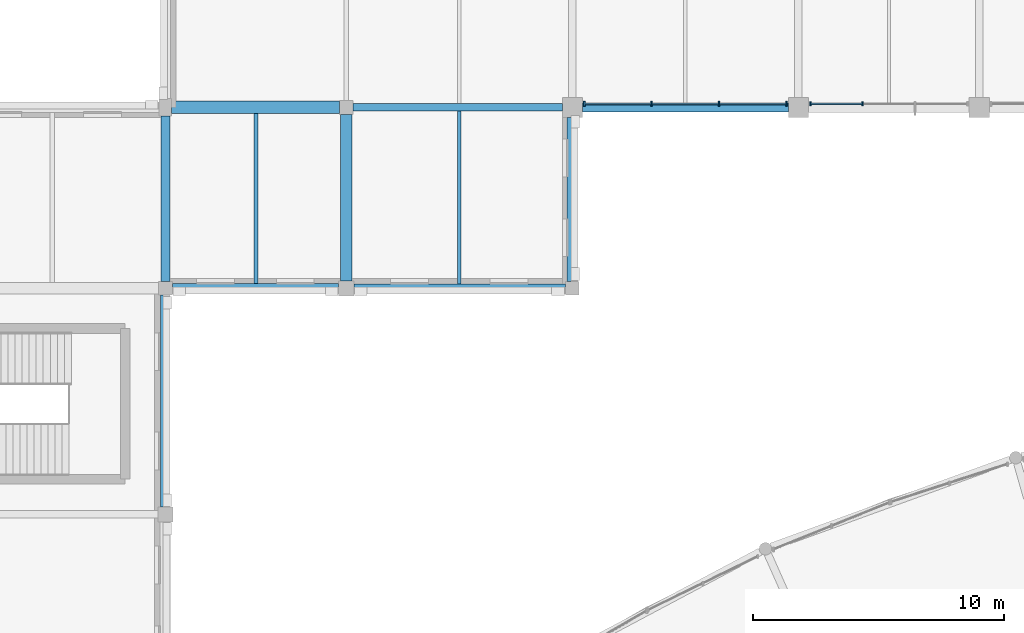
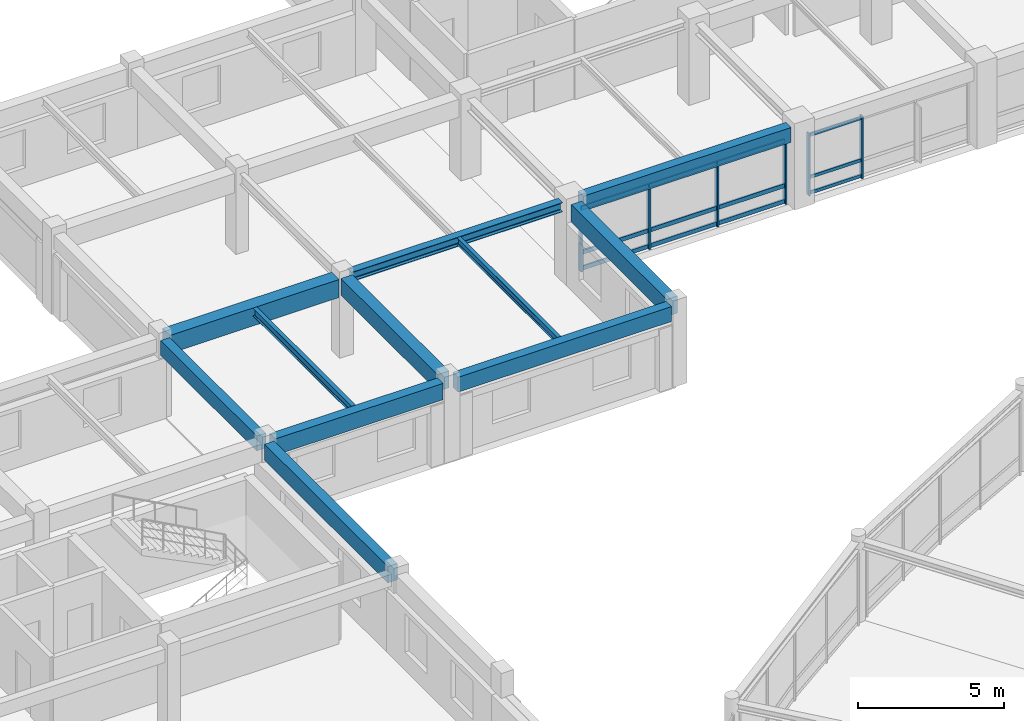
# One storey, part 30 of 74: 18 members, 11 beams, 2 elements without a shape of their own.
"""IFC4 building model written with IfcOpenShell, lengths in metres."""

from ifc_helpers import new_model, si_unit, direction, frame, origin, origin_2d, place, context, subcontext, project, spatial, rectangle, i_section, extrude, material, material_profile, profile_set, type_object, element, aggregate, save


model = new_model("IFC4")

# Units and contexts
model_context = context("Model", 3, precision=1e-05, world=origin(), true_north=direction((0.0, 1.0)))
body_context = subcontext(model_context, "Body", "Model", "MODEL_VIEW")
ifc_project = project(units=[si_unit("LENGTHUNIT", "METRE"), si_unit("AREAUNIT", "SQUARE_METRE"), si_unit("VOLUMEUNIT", "CUBIC_METRE"), si_unit("PLANEANGLEUNIT", "RADIAN"), si_unit("MASSUNIT", "GRAM", prefix="KILO")], contexts=[model_context])

# Site, building, storey
site_placement = place(None, origin())
site = spatial("IfcSite", under=ifc_project, at=site_placement, CompositionType="ELEMENT")
building_placement = place(site_placement, origin())
building = spatial("IfcBuilding", under=site, at=building_placement, Name="Clarverna Civic Hall", CompositionType="ELEMENT")
storey_placement = place(building_placement, frame((0.0, 0.0, 9.60009765625)))
storey = spatial("IfcBuildingStorey", under=building, at=storey_placement, Name="L02", CompositionType="ELEMENT", Elevation=9.60009765625)

# Beams
ifc_material_1 = material(Name="Concrete C35/45", Category="concrete")
ifc_material_profile_1 = material_profile(ifc_material_1, rectangle(XDim=0.5, YDim=0.75, at=origin_2d()), Name="RC 500x750")
ifc_profile_set_1 = profile_set([ifc_material_profile_1], Name="Concrete C35/45")
beam_type_1 = type_object("IfcBeamType", Name="B-RC15", PredefinedType="BEAM", material=ifc_profile_set_1)
beam_1_placement = place(storey_placement, frame((97.449951171875, 95.0, 2.90478515625), z_axis=(1.0, 0.0, 0.0), x_axis=(0.0, 1.0, 0.0)))
element("IfcBeam", 1, at=beam_1_placement, inside=storey, type_object=beam_type_1, Name="B-RC15-036", PredefinedType="BEAM", context=body_context, shape_type="SweptSolid", body=[
    extrude(rectangle(XDim=0.5, YDim=0.75, at=origin_2d()), origin(), (0.0, 0.0, 1.0), 6.675048828125),
])
ifc_material_profile_2 = material_profile(ifc_material_1, rectangle(XDim=0.449951171875, YDim=0.699951171875, at=origin_2d()), Name="RC 450x700")
ifc_profile_set_2 = profile_set([ifc_material_profile_2], Name="Concrete C35/45")
beam_type_2 = type_object("IfcBeamType", Name="B-RC4", PredefinedType="BEAM", material=ifc_profile_set_2)
beam_2_placement = place(storey_placement, frame((104.39990234375, 88.10009765625, 2.969970703125), z_axis=(0.0, 1.0, 0.0), x_axis=(-1.0, 0.0, 0.0)))
element("IfcBeam", 2, at=beam_2_placement, inside=storey, type_object=beam_type_2, Name="B-RC4-026", PredefinedType="BEAM", context=body_context, shape_type="SweptSolid", body=[
    extrude(rectangle(XDim=0.449951171875, YDim=0.699951171875, at=origin_2d()), origin(), (0.0, 0.0, 1.0), 6.625),
])
ifc_material_profile_3 = material_profile(ifc_material_1, rectangle(XDim=0.419921875, YDim=0.719970703125, at=origin_2d()), Name="RC 420x720")
ifc_profile_set_3 = profile_set([ifc_material_profile_3], Name="Concrete C35/45")
beam_type_3 = type_object("IfcBeamType", Name="B-SP1", PredefinedType="SPANDREL", material=ifc_profile_set_3)
beam_3_placement = place(storey_placement, frame((113.39990234375, 88.074951171875, 2.9599609375), z_axis=(0.0, 1.0, 0.0), x_axis=(-1.0, 0.0, 0.0)))
element("IfcBeam", 3, at=beam_3_placement, inside=storey, type_object=beam_type_3, Name="B-SP1-104", PredefinedType="SPANDREL", context=body_context, shape_type="SweptSolid", body=[
    extrude(rectangle(XDim=0.419921875, YDim=0.719970703125, at=origin_2d()), origin(), (0.0, 0.0, 1.0), 6.525146484375),
])
ifc_material_profile_4 = material_profile(ifc_material_1, rectangle(XDim=0.3798828125, YDim=0.679931640625, at=origin_2d()), Name="RC 380x680")
ifc_profile_set_4 = profile_set([ifc_material_profile_4], Name="Concrete C35/45")
beam_type_4 = type_object("IfcBeamType", Name="B-SP2", PredefinedType="SPANDREL", material=ifc_profile_set_4)
beam_4_placement = place(storey_placement, frame((97.47509765625, 87.800048828125, 2.93994140625), z_axis=(1.0, 0.0, 0.0), x_axis=(0.0, 1.0, 0.0)))
element("IfcBeam", 4, at=beam_4_placement, inside=storey, type_object=beam_type_4, Name="B-SP2-088", PredefinedType="SPANDREL", context=body_context, shape_type="SweptSolid", body=[
    extrude(rectangle(XDim=0.3798828125, YDim=0.679931640625, at=origin_2d()), origin(), (0.0, 0.0, 1.0), 6.625),
])
beam_5_placement = place(storey_placement, frame((97.199951171875, 79.10009765625, 2.93994140625), z_axis=(0.0, 1.0, 0.0), x_axis=(-1.0, 0.0, 0.0)))
element("IfcBeam", 5, at=beam_5_placement, inside=storey, type_object=beam_type_4, Name="B-SP2-106", PredefinedType="SPANDREL", context=body_context, shape_type="SweptSolid", body=[
    extrude(rectangle(XDim=0.3798828125, YDim=0.679931640625, at=origin_2d()), origin(), (0.0, 0.0, 1.0), 8.4248046875),
])
ifc_material_profile_5 = material_profile(ifc_material_1, rectangle(XDim=0.360107421875, YDim=0.6201171875, at=origin_2d()), Name="RC 360x620")
ifc_profile_set_5 = profile_set([ifc_material_profile_5], Name="Concrete C35/45")
beam_type_5 = type_object("IfcBeamType", Name="B-SP3", PredefinedType="SPANDREL", material=ifc_profile_set_5)
beam_6_placement = place(storey_placement, frame((104.699951171875, 87.800048828125, 3.010009765625), z_axis=(1.0, 0.0, 0.0), x_axis=(0.0, 1.0, 0.0)))
element("IfcBeam", 6, at=beam_6_placement, inside=storey, type_object=beam_type_5, Name="B-SP3-088", PredefinedType="SPANDREL", context=body_context, shape_type="SweptSolid", body=[
    extrude(rectangle(XDim=0.360107421875, YDim=0.6201171875, at=origin_2d()), origin(), (0.0, 0.0, 1.0), 8.425048828125),
])
beam_7_placement = place(storey_placement, frame((113.800048828125, 95.0, 3.010009765625), z_axis=(1.0, 0.0, 0.0), x_axis=(0.0, 1.0, 0.0)))
element("IfcBeam", 7, at=beam_7_placement, inside=storey, type_object=beam_type_5, Name="B-SP3-090", PredefinedType="SPANDREL", context=body_context, shape_type="SweptSolid", body=[
    extrude(rectangle(XDim=0.360107421875, YDim=0.6201171875, at=origin_2d()), origin(), (0.0, 0.0, 1.0), 8.199951171875),
])
beam_8_placement = place(storey_placement, frame((97.199951171875, 88.074951171875, 2.969970703125), z_axis=(0.0, 1.0, 0.0), x_axis=(-1.0, 0.0, 0.0)))
element("IfcBeam", 8, at=beam_8_placement, inside=storey, type_object=beam_type_5, Name="B-SP3-104", PredefinedType="SPANDREL", context=body_context, shape_type="SweptSolid", body=[
    extrude(rectangle(XDim=0.360107421875, YDim=0.6201171875, at=origin_2d()), origin(), (0.0, 0.0, 1.0), 6.574951171875),
])
ifc_material_2 = material(Name="Steel S355", Category="steel")
ifc_material_profile_6 = material_profile(ifc_material_2, i_section(OverallWidth=0.300048828125, OverallDepth=0.389892578125, WebThickness=0.010986328125, FlangeThickness=0.01904296875, FilletRadius=0.027099609375, at=origin_2d()), Name="HEA 400")
ifc_profile_set_6 = profile_set([ifc_material_profile_6], Name="Steel S355")
beam_type_6 = type_object("IfcBeamType", Name="B-ST6", PredefinedType="BEAM", material=ifc_profile_set_6)
beam_9_placement = place(storey_placement, frame((104.675048828125, 95.0, 3.125), z_axis=(1.0, 0.0, 0.0), x_axis=(0.0, 1.0, 0.0)))
element("IfcBeam", 9, at=beam_9_placement, inside=storey, type_object=beam_type_6, Name="B-ST6-009", PredefinedType="BEAM", context=body_context, shape_type="SweptSolid", body=[
    extrude(i_section(OverallWidth=0.300048828125, OverallDepth=0.389892578125, WebThickness=0.010986328125, FlangeThickness=0.01904296875, FilletRadius=0.027099609375, at=origin_2d()), origin(), (0.0, 0.0, 1.0), 8.324951171875),
])

# Curtain wall, members
ifc_material_3 = material(Name="Anodised Bronze Architectural Aluminium", Category="aluminium")
curtain_wall_type = type_object("IfcCurtainWallType", Name="CW-01", PredefinedType="USERDEFINED", material=ifc_material_3)
curtain_wall_1_placement = place(storey_placement, origin())
curtain_wall_1 = element("IfcCurtainWall", 10, at=curtain_wall_1_placement, inside=storey, type_object=curtain_wall_type, Name="CW-01-052", ObjectType="UNITISED CURTAIN WALL", PredefinedType="USERDEFINED")
ifc_material_profile_7 = material_profile(ifc_material_3, rectangle(XDim=0.06005859375, YDim=0.159912109375, at=origin_2d()), Name="BRONZE 60x160")
ifc_profile_set_7 = profile_set([ifc_material_profile_7], Name="Anodised Bronze Architectural Aluminium")
member_type_1 = type_object("IfcMemberType", Name="CWM-02", PredefinedType="MULLION", material=ifc_profile_set_7)
member_1_placement = place(storey_placement, frame((124.957763671875, 95.139892578125, 0.0), z_axis=(0.0, 0.0, 1.0), x_axis=(1.0, 0.0, 0.0)))
member_1 = element("IfcMember", 11, at=member_1_placement, type_object=member_type_1, Name="CWM-02-119", PredefinedType="MULLION", context=body_context, shape_type="SweptSolid", body=[
    extrude(rectangle(XDim=0.06005859375, YDim=0.159912109375, at=origin_2d()), origin(), (0.0, 0.0, 1.0), 2.599853515625),
])
member_2_placement = place(storey_placement, frame((122.873046875, 95.139892578125, 0.0), z_axis=(0.0, 0.0, 1.0), x_axis=(1.0, 0.0, 0.0)))
member_2 = element("IfcMember", 12, at=member_2_placement, type_object=member_type_1, Name="CWM-02-120", PredefinedType="MULLION", context=body_context, shape_type="SweptSolid", body=[
    extrude(rectangle(XDim=0.06005859375, YDim=0.159912109375, at=origin_2d()), origin(), (0.0, 0.0, 1.0), 2.599853515625),
])

curtain_wall_2_placement = place(storey_placement, origin())
curtain_wall_2 = element("IfcCurtainWall", 13, at=curtain_wall_2_placement, inside=storey, type_object=curtain_wall_type, Name="CW-01-053", ObjectType="UNITISED CURTAIN WALL", PredefinedType="USERDEFINED")
ifc_material_profile_8 = material_profile(ifc_material_3, rectangle(XDim=0.06494140625, YDim=0.199951171875, at=origin_2d()), Name="BRONZE 65x200")
ifc_profile_set_8 = profile_set([ifc_material_profile_8], Name="Anodised Bronze Architectural Aluminium")
member_type_2 = type_object("IfcMemberType", Name="CWM-03", PredefinedType="MULLION", material=ifc_profile_set_8)
member_3_placement = place(storey_placement, frame((121.927001953125, 95.139892578125, 0.0), z_axis=(0.0, 0.0, 1.0), x_axis=(1.0, 0.0, 0.0)))
member_3 = element("IfcMember", 14, at=member_3_placement, type_object=member_type_2, Name="CWM-03-093", PredefinedType="MULLION", context=body_context, shape_type="SweptSolid", body=[
    extrude(rectangle(XDim=0.06494140625, YDim=0.199951171875, at=origin_2d()), origin(), (0.0, 0.0, 1.0), 2.699951171875),
])
member_4_placement = place(storey_placement, frame((119.2421875, 95.139892578125, 0.0), z_axis=(0.0, 0.0, 1.0), x_axis=(1.0, 0.0, 0.0)))
member_4 = element("IfcMember", 15, at=member_4_placement, type_object=member_type_2, Name="CWM-03-094", PredefinedType="MULLION", context=body_context, shape_type="SweptSolid", body=[
    extrude(rectangle(XDim=0.06494140625, YDim=0.199951171875, at=origin_2d()), origin(), (0.0, 0.0, 1.0), 2.699951171875),
])
member_5_placement = place(storey_placement, frame((116.5576171875, 95.139892578125, 0.0), z_axis=(0.0, 0.0, 1.0), x_axis=(1.0, 0.0, 0.0)))
member_5 = element("IfcMember", 16, at=member_5_placement, type_object=member_type_2, Name="CWM-03-095", PredefinedType="MULLION", context=body_context, shape_type="SweptSolid", body=[
    extrude(rectangle(XDim=0.06494140625, YDim=0.199951171875, at=origin_2d()), origin(), (0.0, 0.0, 1.0), 2.699951171875),
])
member_6_placement = place(storey_placement, frame((113.873046875, 95.139892578125, 0.0), z_axis=(0.0, 0.0, 1.0), x_axis=(1.0, 0.0, 0.0)))
member_6 = element("IfcMember", 17, at=member_6_placement, type_object=member_type_2, Name="CWM-03-096", PredefinedType="MULLION", context=body_context, shape_type="SweptSolid", body=[
    extrude(rectangle(XDim=0.06494140625, YDim=0.199951171875, at=origin_2d()), origin(), (0.0, 0.0, 1.0), 2.699951171875),
])

# Member
ifc_material_profile_9 = material_profile(ifc_material_3, rectangle(XDim=0.06005859375, YDim=0.1298828125, at=origin_2d()), Name="BRONZE 60x130")
ifc_profile_set_9 = profile_set([ifc_material_profile_9], Name="Anodised Bronze Architectural Aluminium")
member_type_3 = type_object("IfcMemberType", Name="CWT-02", PredefinedType="USERDEFINED", material=ifc_profile_set_9)
member_7_placement = place(storey_placement, frame((124.942626953125, 95.139892578125, 0.094970703125), z_axis=(-1.0, 0.0, 0.0), x_axis=(0.0, -1.0, 0.0)))
member_7 = element("IfcMember", 18, at=member_7_placement, type_object=member_type_3, Name="CWT-02-250", ObjectType="TRANSOM", PredefinedType="USERDEFINED", context=body_context, shape_type="SweptSolid", body=[
    extrude(rectangle(XDim=0.06005859375, YDim=0.1298828125, at=origin_2d()), origin(), (0.0, 0.0, 1.0), 2.0546875),
])

member_8_placement = place(storey_placement, frame((124.942626953125, 95.139892578125, 0.75), z_axis=(-1.0, 0.0, 0.0), x_axis=(0.0, -1.0, 0.0)))
member_8 = element("IfcMember", 19, at=member_8_placement, type_object=member_type_3, Name="CWT-02-251", ObjectType="TRANSOM", PredefinedType="USERDEFINED", context=body_context, shape_type="SweptSolid", body=[
    extrude(rectangle(XDim=0.06005859375, YDim=0.1298828125, at=origin_2d()), origin(), (0.0, 0.0, 1.0), 2.0546875),
])

member_9_placement = place(storey_placement, frame((124.942626953125, 95.139892578125, 2.5048828125), z_axis=(-1.0, 0.0, 0.0), x_axis=(0.0, -1.0, 0.0)))
member_9 = element("IfcMember", 20, at=member_9_placement, type_object=member_type_3, Name="CWT-02-252", ObjectType="TRANSOM", PredefinedType="USERDEFINED", context=body_context, shape_type="SweptSolid", body=[
    extrude(rectangle(XDim=0.06005859375, YDim=0.1298828125, at=origin_2d()), origin(), (0.0, 0.0, 1.0), 2.0546875),
])

aggregate(curtain_wall_1, [member_1, member_2, member_7, member_8, member_9])

ifc_material_profile_10 = material_profile(ifc_material_3, rectangle(XDim=0.06494140625, YDim=0.169921875, at=origin_2d()), Name="BRONZE 65x170")
ifc_profile_set_10 = profile_set([ifc_material_profile_10], Name="Anodised Bronze Architectural Aluminium")
member_type_4 = type_object("IfcMemberType", Name="CWT-03", PredefinedType="USERDEFINED", material=ifc_profile_set_10)
member_10_placement = place(storey_placement, frame((121.912109375, 95.139892578125, 0.094970703125), z_axis=(-1.0, 0.0, 0.0), x_axis=(0.0, -1.0, 0.0)))
member_10 = element("IfcMember", 21, at=member_10_placement, type_object=member_type_4, Name="CWT-03-196", ObjectType="TRANSOM", PredefinedType="USERDEFINED", context=body_context, shape_type="SweptSolid", body=[
    extrude(rectangle(XDim=0.06494140625, YDim=0.169921875, at=origin_2d()), origin(), (0.0, 0.0, 1.0), 2.65478515625),
])

member_11_placement = place(storey_placement, frame((121.912109375, 95.139892578125, 0.75), z_axis=(-1.0, 0.0, 0.0), x_axis=(0.0, -1.0, 0.0)))
member_11 = element("IfcMember", 22, at=member_11_placement, type_object=member_type_4, Name="CWT-03-197", ObjectType="TRANSOM", PredefinedType="USERDEFINED", context=body_context, shape_type="SweptSolid", body=[
    extrude(rectangle(XDim=0.06494140625, YDim=0.169921875, at=origin_2d()), origin(), (0.0, 0.0, 1.0), 2.65478515625),
])

member_12_placement = place(storey_placement, frame((121.912109375, 95.139892578125, 2.60498046875), z_axis=(-1.0, 0.0, 0.0), x_axis=(0.0, -1.0, 0.0)))
member_12 = element("IfcMember", 23, at=member_12_placement, type_object=member_type_4, Name="CWT-03-198", ObjectType="TRANSOM", PredefinedType="USERDEFINED", context=body_context, shape_type="SweptSolid", body=[
    extrude(rectangle(XDim=0.06494140625, YDim=0.169921875, at=origin_2d()), origin(), (0.0, 0.0, 1.0), 2.65478515625),
])

member_13_placement = place(storey_placement, frame((119.227294921875, 95.139892578125, 0.094970703125), z_axis=(-1.0, 0.0, 0.0), x_axis=(0.0, -1.0, 0.0)))
member_13 = element("IfcMember", 24, at=member_13_placement, type_object=member_type_4, Name="CWT-03-199", ObjectType="TRANSOM", PredefinedType="USERDEFINED", context=body_context, shape_type="SweptSolid", body=[
    extrude(rectangle(XDim=0.06494140625, YDim=0.169921875, at=origin_2d()), origin(), (0.0, 0.0, 1.0), 2.654541015625),
])

member_14_placement = place(storey_placement, frame((119.227294921875, 95.139892578125, 0.75), z_axis=(-1.0, 0.0, 0.0), x_axis=(0.0, -1.0, 0.0)))
member_14 = element("IfcMember", 25, at=member_14_placement, type_object=member_type_4, Name="CWT-03-200", ObjectType="TRANSOM", PredefinedType="USERDEFINED", context=body_context, shape_type="SweptSolid", body=[
    extrude(rectangle(XDim=0.06494140625, YDim=0.169921875, at=origin_2d()), origin(), (0.0, 0.0, 1.0), 2.654541015625),
])

member_15_placement = place(storey_placement, frame((119.227294921875, 95.139892578125, 2.60498046875), z_axis=(-1.0, 0.0, 0.0), x_axis=(0.0, -1.0, 0.0)))
member_15 = element("IfcMember", 26, at=member_15_placement, type_object=member_type_4, Name="CWT-03-201", ObjectType="TRANSOM", PredefinedType="USERDEFINED", context=body_context, shape_type="SweptSolid", body=[
    extrude(rectangle(XDim=0.06494140625, YDim=0.169921875, at=origin_2d()), origin(), (0.0, 0.0, 1.0), 2.654541015625),
])

member_16_placement = place(storey_placement, frame((116.542724609375, 95.139892578125, 0.094970703125), z_axis=(-1.0, 0.0, 0.0), x_axis=(0.0, -1.0, 0.0)))
member_16 = element("IfcMember", 27, at=member_16_placement, type_object=member_type_4, Name="CWT-03-202", ObjectType="TRANSOM", PredefinedType="USERDEFINED", context=body_context, shape_type="SweptSolid", body=[
    extrude(rectangle(XDim=0.06494140625, YDim=0.169921875, at=origin_2d()), origin(), (0.0, 0.0, 1.0), 2.65478515625),
])

member_17_placement = place(storey_placement, frame((116.542724609375, 95.139892578125, 0.75), z_axis=(-1.0, 0.0, 0.0), x_axis=(0.0, -1.0, 0.0)))
member_17 = element("IfcMember", 28, at=member_17_placement, type_object=member_type_4, Name="CWT-03-203", ObjectType="TRANSOM", PredefinedType="USERDEFINED", context=body_context, shape_type="SweptSolid", body=[
    extrude(rectangle(XDim=0.06494140625, YDim=0.169921875, at=origin_2d()), origin(), (0.0, 0.0, 1.0), 2.65478515625),
])

member_18_placement = place(storey_placement, frame((116.542724609375, 95.139892578125, 2.60498046875), z_axis=(-1.0, 0.0, 0.0), x_axis=(0.0, -1.0, 0.0)))
member_18 = element("IfcMember", 29, at=member_18_placement, type_object=member_type_4, Name="CWT-03-204", ObjectType="TRANSOM", PredefinedType="USERDEFINED", context=body_context, shape_type="SweptSolid", body=[
    extrude(rectangle(XDim=0.06494140625, YDim=0.169921875, at=origin_2d()), origin(), (0.0, 0.0, 1.0), 2.65478515625),
])

aggregate(curtain_wall_2, [member_3, member_4, member_5, member_6, member_10, member_11, member_12, member_13, member_14, member_15, member_16, member_17, member_18])

# Beams
ifc_material_profile_11 = material_profile(ifc_material_2, i_section(OverallWidth=0.159912109375, OverallDepth=0.330078125, WebThickness=0.007568359375, FlangeThickness=0.011474609375, FilletRadius=0.01806640625, at=origin_2d()), Name="IPE 330")
ifc_profile_set_11 = profile_set([ifc_material_profile_11], Name="Steel S355")
beam_type_7 = type_object("IfcBeamType", Name="J-ST2", PredefinedType="JOIST", material=ifc_profile_set_11)
beam_10_placement = place(storey_placement, frame((100.800048828125, 87.989990234375, 3.114990234375), z_axis=(0.0, 1.0, 0.0), x_axis=(-1.0, 0.0, 0.0)))
element("IfcBeam", 30, at=beam_10_placement, inside=storey, type_object=beam_type_7, Name="J-ST2-055", PredefinedType="JOIST", context=body_context, shape_type="SweptSolid", body=[
    extrude(i_section(OverallWidth=0.159912109375, OverallDepth=0.330078125, WebThickness=0.007568359375, FlangeThickness=0.011474609375, FilletRadius=0.01806640625, at=origin_2d()), origin(), (0.0, 0.0, 1.0), 6.760009765625),
])
ifc_material_profile_12 = material_profile(ifc_material_2, i_section(OverallWidth=0.14990234375, OverallDepth=0.300048828125, WebThickness=0.007080078125, FlangeThickness=0.0107421875, FilletRadius=0.014892578125, at=origin_2d()), Name="IPE 300")
ifc_profile_set_12 = profile_set([ifc_material_profile_12], Name="Steel S355")
beam_type_8 = type_object("IfcBeamType", Name="J-ST3", PredefinedType="JOIST", material=ifc_profile_set_12)
beam_11_placement = place(storey_placement, frame((108.89990234375, 87.97998046875, 3.169921875), z_axis=(0.0, 1.0, 0.0), x_axis=(-1.0, 0.0, 0.0)))
element("IfcBeam", 31, at=beam_11_placement, inside=storey, type_object=beam_type_8, Name="J-ST3-055", PredefinedType="JOIST", context=body_context, shape_type="SweptSolid", body=[
    extrude(i_section(OverallWidth=0.14990234375, OverallDepth=0.300048828125, WebThickness=0.007080078125, FlangeThickness=0.0107421875, FilletRadius=0.014892578125, at=origin_2d()), origin(), (0.0, 0.0, 1.0), 6.8701171875),
])

save(model, "model.ifc")
